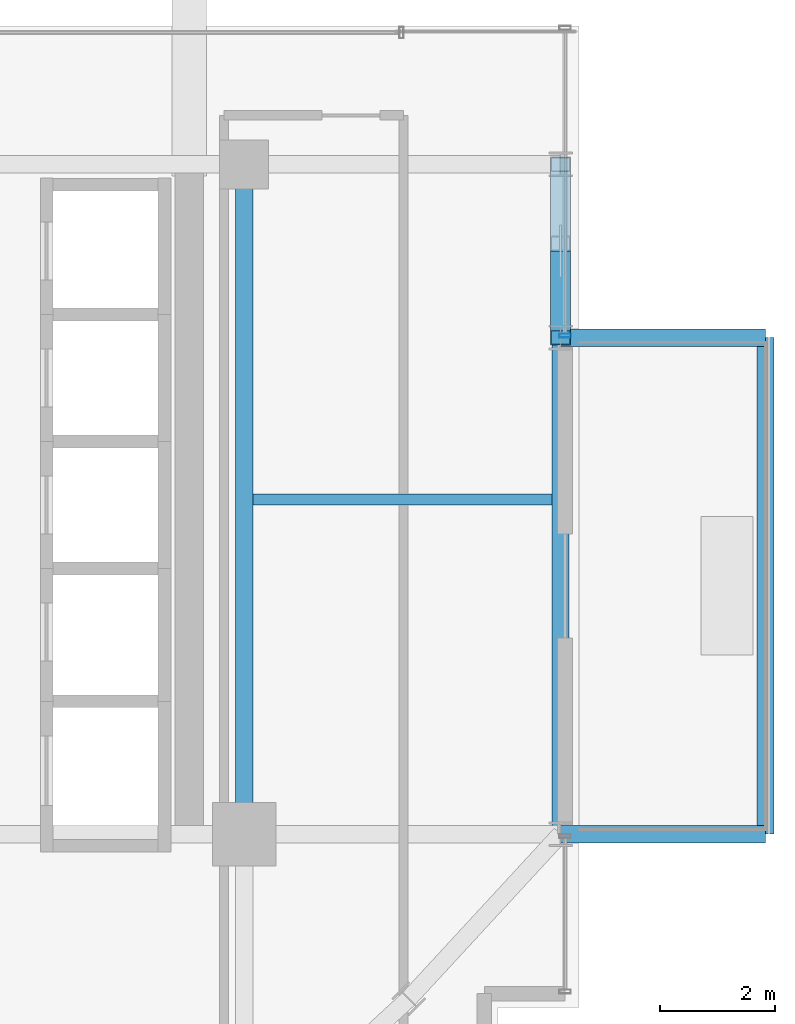
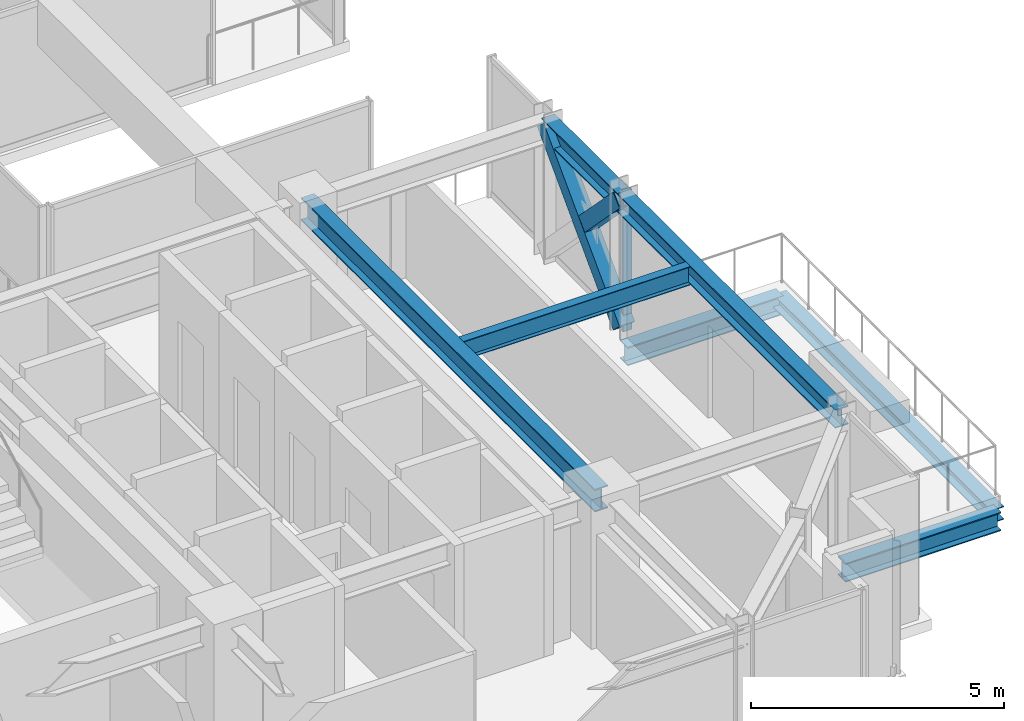
# One storey, part 15 of 41: 7 beams, 3 members, 1 element without a shape of its own.
"""IFC4 building model written with IfcOpenShell, lengths in metres."""

from ifc_helpers import new_model, si_unit, direction, frame, origin, origin_2d, place, context, subcontext, project, spatial, hollow_rectangle, i_section, extrude, source, transform, mapped, material, material_profile, profile_set, type_object, element, aggregate, save


model = new_model("IFC4")

# Units and contexts
model_context = context("Model", 3, precision=1e-05, world=origin(), true_north=direction((0.0, 1.0)))
body_context = subcontext(model_context, "Body", "Model", "MODEL_VIEW")
ifc_project = project(units=[si_unit("LENGTHUNIT", "METRE"), si_unit("AREAUNIT", "SQUARE_METRE"), si_unit("VOLUMEUNIT", "CUBIC_METRE"), si_unit("PLANEANGLEUNIT", "RADIAN"), si_unit("MASSUNIT", "GRAM", prefix="KILO")], contexts=[model_context])

# Site, building, storey
site_placement = place(None, origin())
site = spatial("IfcSite", under=ifc_project, at=site_placement, CompositionType="ELEMENT")
building_placement = place(site_placement, origin())
building = spatial("IfcBuilding", under=site, at=building_placement, Name="Nahalor Promenade Grand Hotel", CompositionType="ELEMENT")
storey_placement = place(building_placement, frame((0.0, 0.0, 159.949951171875)))
storey = spatial("IfcBuildingStorey", under=building, at=storey_placement, Name="L40", CompositionType="ELEMENT", Elevation=159.949951171875)

# Beams
ifc_material_1 = material(Name="Steel S355JR", Category="steel")
ifc_material_profile_1 = material_profile(ifc_material_1, i_section(OverallWidth=0.3, OverallDepth=0.32, WebThickness=0.0115, FlangeThickness=0.0205, at=origin_2d()), Name="HEB 320")
ifc_profile_set_1 = profile_set([ifc_material_profile_1], Name="Steel S355JR")
beam_type_1 = type_object("IfcBeamType", Name="Beam-BalcEdge-HEB320", PredefinedType="SPANDREL", material=ifc_profile_set_1)
shared_shape_1 = source(origin(), body_context, "Body", "SweptSolid", [
    extrude(i_section(OverallWidth=0.3, OverallDepth=0.32, WebThickness=0.0115, FlangeThickness=0.0205, at=origin_2d()), origin(), (0.0, 0.0, 1.0), 8.60009765625),
])
beam_1_placement = place(storey_placement, frame((26.030029296875, -17.0, -0.43994140625), z_axis=(0.0, 1.0, 0.0), x_axis=(-1.0, 0.0, 0.0)))
element("IfcBeam", 1, at=beam_1_placement, inside=storey, type_object=beam_type_1, Name="BM-L40-BC-02-F", PredefinedType="SPANDREL", context=body_context, shape_type="MappedRepresentation", body=[
    mapped(shared_shape_1, transform((0.0, 0.0, 0.0), scale=1.0)),
])
ifc_material_profile_2 = material_profile(ifc_material_1, i_section(OverallWidth=0.3, OverallDepth=0.45, WebThickness=0.014, FlangeThickness=0.026, at=origin_2d()), Name="HEB 450")
ifc_profile_set_2 = profile_set([ifc_material_profile_2], Name="Steel S355JR")
beam_type_2 = type_object("IfcBeamType", Name="Beam-Outrigger-HEB450", PredefinedType="BEAM", material=ifc_profile_set_2)
shared_shape_2 = source(origin(), body_context, "Body", "SweptSolid", [
    extrude(i_section(OverallWidth=0.3, OverallDepth=0.45, WebThickness=0.014, FlangeThickness=0.026, at=origin_2d()), origin(), (0.0, 0.0, 1.0), 3.550048828125),
])
for number, where, z_axis, x_axis, name in (
    (2, (22.47998046875, -17.0, -0.5048828125), (1.0, 0.0, 0.0), (0.0, 1.0, 0.0), "BM-L40-BC-02-1"),
    (3, (22.47998046875, -8.39990234375, -0.5048828125), (1.0, 0.0, 0.0), (0.0, 1.0, 0.0), "BM-L40-BC-02-2"),
):
    element("IfcBeam", number, at=place(storey_placement, frame(where, z_axis=z_axis, x_axis=x_axis)), inside=storey, type_object=beam_type_2, Name=name, PredefinedType="BEAM", context=body_context, shape_type="MappedRepresentation", body=[
        mapped(shared_shape_2, transform((0.0, 0.0, 0.0), scale=1.0)),
    ])
ifc_material_profile_3 = material_profile(ifc_material_1, i_section(OverallWidth=0.3, OverallDepth=0.55, WebThickness=0.015, FlangeThickness=0.029, at=origin_2d()), Name="HEB 550")
ifc_profile_set_3 = profile_set([ifc_material_profile_3], Name="Steel S355JR")
beam_type_3 = type_object("IfcBeamType", Name="Beam-Girder-HEB550", PredefinedType="BEAM", material=ifc_profile_set_3)
shared_shape_3 = source(origin(), body_context, "Body", "SweptSolid", [
    extrude(i_section(OverallWidth=0.3, OverallDepth=0.55, WebThickness=0.015, FlangeThickness=0.029, at=origin_2d()), origin(), (0.0, 0.0, 1.0), 11.60009765625),
])
beam_2_placement = place(storey_placement, frame((17.0, -17.0, 3.114990234375), z_axis=(0.0, 1.0, 0.0), x_axis=(-1.0, 0.0, 0.0)))
element("IfcBeam", 4, at=beam_2_placement, inside=storey, type_object=beam_type_3, Name="BM-L40-GY-5-1", PredefinedType="BEAM", context=body_context, shape_type="MappedRepresentation", body=[
    mapped(shared_shape_3, transform((0.0, 0.0, 0.0), scale=1.0)),
])
ifc_material_profile_4 = material_profile(ifc_material_1, i_section(OverallWidth=0.19, OverallDepth=0.45, WebThickness=0.0094, FlangeThickness=0.0146, at=origin_2d()), Name="IPE 450")
ifc_profile_set_4 = profile_set([ifc_material_profile_4], Name="Steel S355JR")
beam_type_4 = type_object("IfcBeamType", Name="Beam-Joist-IPE450", PredefinedType="JOIST", material=ifc_profile_set_4)
shared_shape_4 = source(origin(), body_context, "Body", "SweptSolid", [
    extrude(i_section(OverallWidth=0.19, OverallDepth=0.45, WebThickness=0.0094, FlangeThickness=0.0146, at=origin_2d()), origin(), (0.0, 0.0, 1.0), 5.18017578125),
])
beam_3_placement = place(storey_placement, frame((17.14990234375, -11.199951171875, 3.1650390625), z_axis=(1.0, 0.0, 0.0), x_axis=(0.0, 1.0, 0.0)))
element("IfcBeam", 5, at=beam_3_placement, inside=storey, type_object=beam_type_4, Name="BM-L40-JSE-0-2", PredefinedType="JOIST", context=body_context, shape_type="MappedRepresentation", body=[
    mapped(shared_shape_4, transform((0.0, 0.0, 0.0), scale=1.0)),
])
ifc_material_profile_5 = material_profile(ifc_material_1, i_section(OverallWidth=0.3, OverallDepth=0.45, WebThickness=0.014, FlangeThickness=0.026, at=origin_2d()), Name="HEB 450")
ifc_profile_set_5 = profile_set([ifc_material_profile_5], Name="Steel S355JR")
beam_type_5 = type_object("IfcBeamType", Name="Beam-Spandrel-HEB450", PredefinedType="SPANDREL", material=ifc_profile_set_5)
shared_shape_5 = source(origin(), body_context, "Body", "SweptSolid", [
    extrude(i_section(OverallWidth=0.3, OverallDepth=0.45, WebThickness=0.014, FlangeThickness=0.026, at=origin_2d()), origin(), (0.0, 0.0, 1.0), 8.60009765625),
])
beam_4_placement = place(storey_placement, frame((22.47998046875, -17.0, 3.1650390625), z_axis=(0.0, 1.0, 0.0), x_axis=(-1.0, 0.0, 0.0)))
element("IfcBeam", 6, at=beam_4_placement, inside=storey, type_object=beam_type_5, Name="BM-L40-SP-E-0", PredefinedType="SPANDREL", context=body_context, shape_type="MappedRepresentation", body=[
    mapped(shared_shape_5, transform((0.0, 0.0, 0.0), scale=1.0)),
])
shared_shape_6 = source(origin(), body_context, "Body", "SweptSolid", [
    extrude(i_section(OverallWidth=0.3, OverallDepth=0.45, WebThickness=0.014, FlangeThickness=0.026, at=origin_2d()), origin(), (0.0, 0.0, 1.0), 3.0),
])
beam_5_placement = place(storey_placement, frame((22.47998046875, -8.39990234375, 3.1650390625), z_axis=(0.0, 1.0, 0.0), x_axis=(-1.0, 0.0, 0.0)))
element("IfcBeam", 7, at=beam_5_placement, inside=storey, type_object=beam_type_5, Name="BM-L40-SP-E-1", PredefinedType="SPANDREL", context=body_context, shape_type="MappedRepresentation", body=[
    mapped(shared_shape_6, transform((0.0, 0.0, 0.0), scale=1.0)),
])

# Members
ifc_material_profile_6 = material_profile(ifc_material_1, hollow_rectangle(XDim=0.35, YDim=0.35, WallThickness=0.02, at=origin_2d()), Name="SHS 350x350x20")
ifc_profile_set_6 = profile_set([ifc_material_profile_6], Name="Steel S355JR")
member_type_1 = type_object("IfcMemberType", Name="Mem-VoidBrace-SHS350", PredefinedType="BRACE", material=ifc_profile_set_6)
shared_shape_7 = source(origin(), body_context, "Body", "SweptSolid", [
    extrude(hollow_rectangle(XDim=0.35, YDim=0.35, WallThickness=0.02, at=origin_2d()), origin(), (0.0, 0.0, 1.0), 4.306640625),
])
member_1_placement = place(storey_placement, frame((22.47998046875, -8.39990234375, 0.150146484375), z_axis=(0.0, 0.696598997639, 0.717460686371), x_axis=(-1.0, 0.0, 0.0)))
element("IfcMember", 8, at=member_1_placement, inside=storey, type_object=member_type_1, Name="EXO-L40-VX1-E0", PredefinedType="BRACE", context=body_context, shape_type="MappedRepresentation", body=[
    mapped(shared_shape_7, transform((0.0, 0.0, 0.0), scale=1.0)),
])
shared_shape_8 = source(origin(), body_context, "Body", "SweptSolid", [
    extrude(hollow_rectangle(XDim=0.35, YDim=0.35, WallThickness=0.02, at=origin_2d()), origin(), (0.0, 0.0, 1.0), 1.966064453125),
])
member_2_placement = place(storey_placement, frame((22.47998046875, -7.0302734375, 1.829345703125), z_axis=(0.0, -0.696599482471, 0.717460215636), x_axis=(1.0, 0.0, 0.0)))
element("IfcMember", 9, at=member_2_placement, inside=storey, type_object=member_type_1, Name="EXO-L40-VX2-E0B", PredefinedType="BRACE", context=body_context, shape_type="MappedRepresentation", body=[
    mapped(shared_shape_8, transform((0.0, 0.0, 0.0), scale=1.0)),
])

# Curtain wall, member
ifc_material_2 = material(Name="Anodised Bronze Aluminium EN AW-6063 T6", Category="aluminium")
curtain_wall_type = type_object("IfcCurtainWallType", Name="CW3 Elliptical-Void Collar Unitised Curtain Wall", PredefinedType="USERDEFINED", material=ifc_material_2)
curtain_wall_placement = place(storey_placement, origin())
curtain_wall = element("IfcCurtainWall", 10, at=curtain_wall_placement, inside=storey, type_object=curtain_wall_type, Name="L40 Curtain Wall CW-L40-E-3", ObjectType="UNITISED_CURTAIN_WALL", PredefinedType="USERDEFINED")
ifc_material_profile_7 = material_profile(ifc_material_2, hollow_rectangle(XDim=0.07, YDim=0.2, WallThickness=0.005, at=origin_2d()), Name="CWM 70x200x5")
ifc_profile_set_7 = profile_set([ifc_material_profile_7], Name="Anodised Bronze Aluminium EN AW-6063 T6")
member_type_2 = type_object("IfcMemberType", Name="CWM3 Void Collar Mullion 70x200", PredefinedType="MULLION", material=ifc_profile_set_7)
shared_shape_9 = source(origin(), body_context, "Body", "SweptSolid", [
    extrude(hollow_rectangle(XDim=0.07, YDim=0.2, WallThickness=0.005, at=origin_2d()), origin(), (0.0, 0.0, 1.0), 3.39013671875),
])
member_3_placement = place(storey_placement, frame((22.56005859375, -8.364990234375, 0.0), z_axis=(0.0, 0.0, 1.0), x_axis=(0.0, 1.0, 0.0)))
member_3 = element("IfcMember", 11, at=member_3_placement, type_object=member_type_2, Name="CW-L40-E-3 Mullion 0", PredefinedType="MULLION", context=body_context, shape_type="MappedRepresentation", body=[
    mapped(shared_shape_9, transform((0.0, 0.0, 0.0), scale=1.0)),
])
aggregate(curtain_wall, [member_3])

save(model, "model.ifc")
